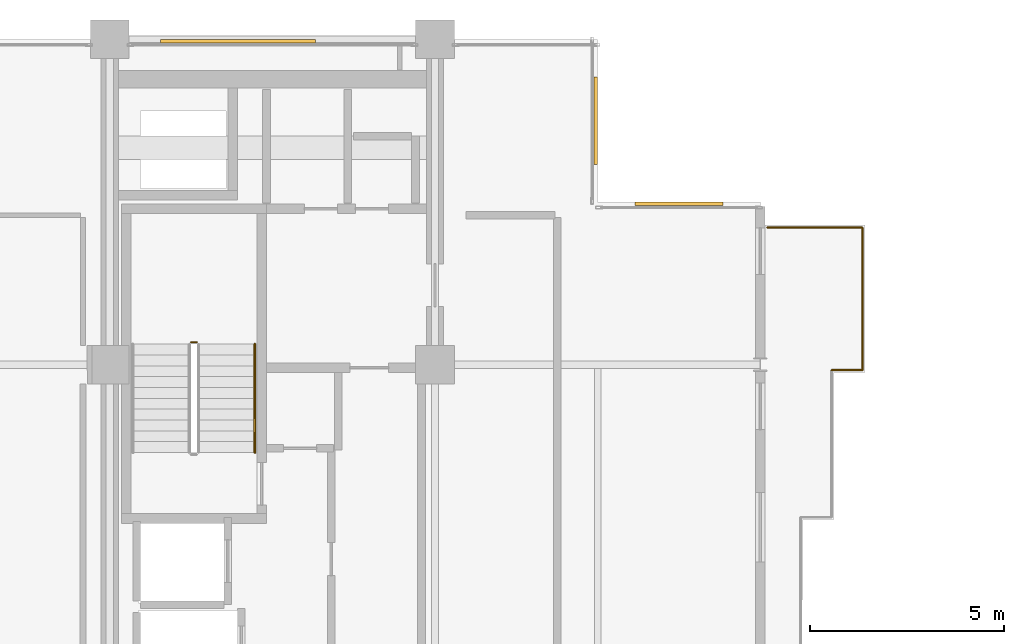
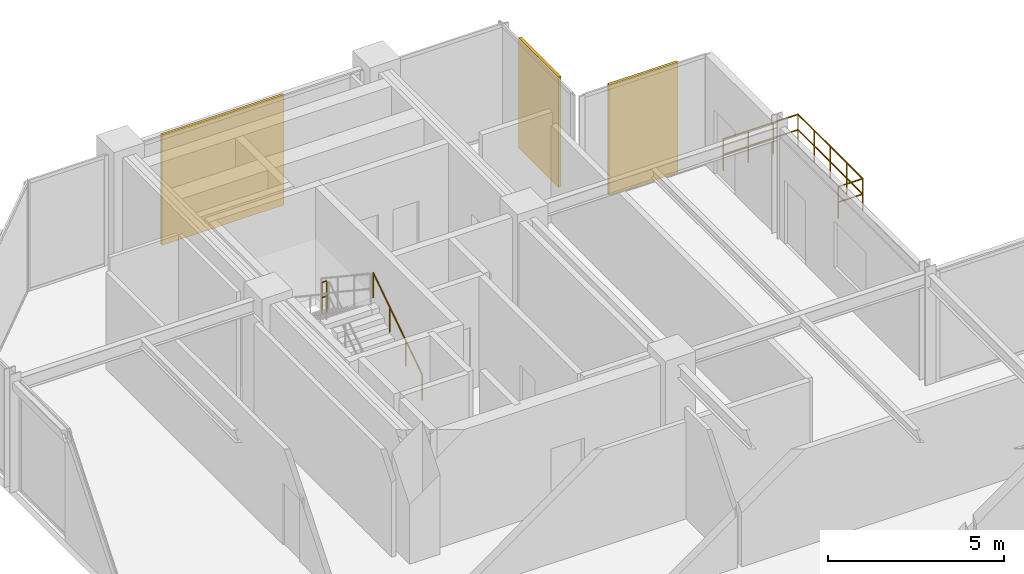
# One storey, part 25 of 25: 5 railings, 3 coverings.
"""IFC4 building model written with IfcOpenShell, lengths in metres."""

import ifcopenshell
import ifcopenshell.guid

model = None  # the IFC model being written
_history = None  # IfcOwnerHistory: only IFC2X3 demands one
_inside = {}  # id of a spatial element -> (the spatial element, [elements in it])
_under = {}  # id of a project, library or spatial element -> (it, [spatial elements below it])
_declared = {}  # id of a project -> (the project, [libraries it declares])
_typed = {}  # id of a type object -> (the type object, [elements of that type])
_made_of = {}  # id of a material, layer set ... -> (it, [elements and type objects made of it])


def new_model(schema):
    """Start an empty IFC model of exactly this schema.

    Asked for "IFC4X3", IfcOpenShell would pick the latest addendum, in which some entities
    have other attributes; the version numbers below select the first issue.
    IFC2X3 requires an IfcOwnerHistory on every rooted entity: one is made here for all.
    """
    global model, _history
    if schema == "IFC4X3":
        model = ifcopenshell.file(schema_version=(4, 3, 0, 0))
    else:
        model = ifcopenshell.file(schema=schema)
    _inside.clear()
    _under.clear()
    _declared.clear()
    _typed.clear()
    _made_of.clear()
    _history = None
    if model.schema == "IFC2X3":
        org = make("IfcOrganization", Name="unknown")
        user = make(
            "IfcPersonAndOrganization",
            ThePerson=make("IfcPerson", FamilyName="unknown"),
            TheOrganization=org,
        )
        app = make(
            "IfcApplication",
            ApplicationDeveloper=org,
            Version="unknown",
            ApplicationFullName="unknown",
            ApplicationIdentifier="unknown",
        )
        _history = make(
            "IfcOwnerHistory",
            OwningUser=user,
            OwningApplication=app,
            ChangeAction="ADDED",
            CreationDate=0,
        )
    return model


def make(cls, **values):
    """One entity of the class cls with the attributes given. An attribute that is None is left unset."""
    return model.create_entity(
        cls, **{name: value for name, value in values.items() if value is not None}
    )


def rooted(cls, **values):
    """An entity with a GlobalId (a new one), such as an element, a storey or a relation."""
    return make(cls, GlobalId=ifcopenshell.guid.new(), OwnerHistory=_history, **values)


def si_unit(unit_type, name, prefix=None):
    """IfcSIUnit, for example si_unit("LENGTHUNIT", "METRE", prefix="MILLI")."""
    return make("IfcSIUnit", UnitType=unit_type, Prefix=prefix, Name=name)


def assignment(units):
    """IfcUnitAssignment: the units of a project."""
    return None if units is None else make("IfcUnitAssignment", Units=units)


def point(xyz):
    """IfcCartesianPoint."""
    return None if xyz is None else make("IfcCartesianPoint", Coordinates=xyz)


def direction(xyz):
    """IfcDirection."""
    return None if xyz is None else make("IfcDirection", DirectionRatios=xyz)


def frame(location, z_axis=None, x_axis=None):
    """IfcAxis2Placement3D, a coordinate frame: its origin and axes. An axis left out is left unset."""
    return make(
        "IfcAxis2Placement3D",
        Location=point(location),
        Axis=direction(z_axis),
        RefDirection=direction(x_axis),
    )


def frame_2d(location, x_axis=None):
    """IfcAxis2Placement2D, a coordinate frame in the plane: its origin and x axis."""
    return make(
        "IfcAxis2Placement2D", Location=point(location), RefDirection=direction(x_axis)
    )


def origin():
    """The frame at (0, 0, 0) with its axes left unset."""
    return frame((0.0, 0.0, 0.0))


def origin_2d():
    """The frame at (0, 0) in the plane with its x axis left unset."""
    return frame_2d((0.0, 0.0))


def place(relative_to, where):
    """IfcLocalPlacement: puts the frame where relative to a parent placement (None: the world)."""
    return make(
        "IfcLocalPlacement", PlacementRelTo=relative_to, RelativePlacement=where
    )


def context(
    kind, dimensions, precision=None, world=None, true_north=None, identifier=None
):
    """IfcGeometricRepresentationContext, for example the 3D "Model" context."""
    return make(
        "IfcGeometricRepresentationContext",
        ContextIdentifier=identifier,
        ContextType=kind,
        CoordinateSpaceDimension=dimensions,
        Precision=precision,
        WorldCoordinateSystem=world,
        TrueNorth=true_north,
    )


def subcontext(parent, identifier, kind, view, scale=None):
    """IfcGeometricRepresentationSubContext, for example "Body" below "Model"."""
    return make(
        "IfcGeometricRepresentationSubContext",
        ContextIdentifier=identifier,
        ContextType=kind,
        ParentContext=parent,
        TargetScale=scale,
        TargetView=view,
    )


def project(units=None, contexts=None):
    """IfcProject with its units and contexts."""
    return rooted(
        "IfcProject",
        Name="project",
        RepresentationContexts=contexts,
        UnitsInContext=assignment(units),
    )


def spatial(cls, under=None, at=None, **own):
    """A site, building, storey or space (cls), placed at a placement, below another one or the project."""
    s = rooted(cls, ObjectPlacement=at, **own)
    if under is not None:
        _under.setdefault(under.id(), (under, []))[1].append(s)
    return s


def profile(cls, at=None, kind="AREA", **sizes):
    """A parametric profile (cls). Its sizes go by their IFC names, for example OverallWidth=200.0."""
    return make(cls, ProfileType=kind, Position=at, **sizes)


def rectangle(**sizes):
    """IfcRectangleProfileDef."""
    return profile("IfcRectangleProfileDef", **sizes)


def circle(**sizes):
    """IfcCircleProfileDef."""
    return profile("IfcCircleProfileDef", **sizes)


def extrude(swept, where, along, depth):
    """IfcExtrudedAreaSolid: the profile swept, set in the frame where, extruded along a direction by depth."""
    return make(
        "IfcExtrudedAreaSolid",
        SweptArea=swept,
        Position=where,
        ExtrudedDirection=direction(along),
        Depth=depth,
    )


def shape(context_of_items, identifier, shape_type, items):
    """IfcShapeRepresentation: the items that make up one representation, for example the "Body"."""
    return make(
        "IfcShapeRepresentation",
        ContextOfItems=context_of_items,
        RepresentationIdentifier=identifier,
        RepresentationType=shape_type,
        Items=items,
    )


def material(Name=None, Category=None):
    """IfcMaterial."""
    return make("IfcMaterial", Name=Name, Category=Category)


def layer(
    of_material, thickness, ventilated=None, Name=None, Category=None, Priority=None
):
    """IfcMaterialLayer: one layer of a wall or slab, of a material (None: an air gap)."""
    return make(
        "IfcMaterialLayer",
        Material=of_material,
        LayerThickness=thickness,
        IsVentilated=ventilated,
        Name=Name,
        Category=Category,
        Priority=Priority,
    )


def layer_set(layers, Name=None):
    """IfcMaterialLayerSet."""
    return make("IfcMaterialLayerSet", MaterialLayers=layers, LayerSetName=Name)


def made_of(thing, what):
    """Note that an element or type object is made of a material, layer set ...; save() writes the relation."""
    if what is not None:
        _made_of.setdefault(what.id(), (what, []))[1].append(thing)
    return thing


def type_object(cls, material=None, **own):
    """A type object (cls), such as IfcWallType, which elements share."""
    return made_of(rooted(cls, **own), material)


def element(
    cls,
    number,
    at=None,
    inside=None,
    cuts=None,
    type_object=None,
    material=None,
    context=None,
    identifier="Body",
    shape_type=None,
    held_by="IfcProductDefinitionShape",
    body=None,
    shapes=None,
    **own,
):
    """One element of the class cls, such as IfcWall. Its Tag is "e" and its number.

    at: its placement. inside: the storey or other place that contains it. cuts: it is an
    opening in that element (IfcRelVoidsElement). A single representation is given by context,
    identifier, shape_type and body (its items); several are given by shapes. held_by: the class
    of the entity that holds the representations. save() writes the other relations.
    """
    e = rooted(cls, Tag="e%d" % number, ObjectPlacement=at, **own)
    if body is not None:
        shapes = [shape(context, identifier, shape_type, body)]
    if shapes is not None:
        e.Representation = make(held_by, Representations=shapes)
    if inside is not None:
        _inside.setdefault(inside.id(), (inside, []))[1].append(e)
    if cuts is not None:
        rooted(
            "IfcRelVoidsElement", RelatingBuildingElement=cuts, RelatedOpeningElement=e
        )
    if type_object is not None:
        _typed.setdefault(type_object.id(), (type_object, []))[1].append(e)
    return made_of(e, material)


def aggregate(whole, parts):
    """IfcRelAggregates: a whole, such as a stair, and the parts it consists of."""
    return rooted("IfcRelAggregates", RelatingObject=whole, RelatedObjects=parts)


def save(model, path):
    """Write the relations noted so far, then the file.

    IfcRelAggregates (storeys below a building ...), IfcRelContainedInSpatialStructure (elements
    in a storey), IfcRelDefinesByType, IfcRelAssociatesMaterial and IfcRelDeclares: one each for
    every whole, place, type object, material and project.
    """
    for whole, parts in _under.values():
        aggregate(whole, parts)
    for where, things in _inside.values():
        rooted(
            "IfcRelContainedInSpatialStructure",
            RelatedElements=things,
            RelatingStructure=where,
        )
    for kind, things in _typed.values():
        rooted("IfcRelDefinesByType", RelatedObjects=things, RelatingType=kind)
    for what, things in _made_of.values():
        rooted("IfcRelAssociatesMaterial", RelatedObjects=things, RelatingMaterial=what)
    for by, libraries in _declared.values():
        rooted("IfcRelDeclares", RelatingContext=by, RelatedDefinitions=libraries)
    model.write(path)


model = new_model("IFC4")

# Units and contexts
model_context = context("Model", 3, precision=1e-05, world=origin(), true_north=direction((0.0, 1.0)))
body_context = subcontext(model_context, "Body", "Model", "MODEL_VIEW")
ifc_project = project(units=[si_unit("LENGTHUNIT", "METRE"), si_unit("AREAUNIT", "SQUARE_METRE"), si_unit("VOLUMEUNIT", "CUBIC_METRE"), si_unit("PLANEANGLEUNIT", "RADIAN"), si_unit("MASSUNIT", "GRAM", prefix="KILO")], contexts=[model_context])

# Site, building, storey
site_placement = place(None, origin())
site = spatial("IfcSite", under=ifc_project, at=site_placement, CompositionType="ELEMENT")
building_placement = place(site_placement, origin())
building = spatial("IfcBuilding", under=site, at=building_placement, Name="Nerrivon Quay Data Exchange", CompositionType="ELEMENT")
storey_placement = place(building_placement, frame((0.0, 0.0, 232.89990234375)))
storey = spatial("IfcBuildingStorey", under=building, at=storey_placement, Name="L55", CompositionType="ELEMENT", Elevation=232.89990234375)

# Coverings
ifc_material_1 = material(Name="Architectural terracotta ceramic", Category="masonry")
ifc_layer = layer(ifc_material_1, 0.090087890625)
ifc_layer_set = layer_set([ifc_layer], Name="Architectural terracotta ceramic")
covering_type = type_object("IfcCoveringType", Name="COV-SCR-TERR", PredefinedType="CLADDING", material=ifc_layer_set)
covering_placement = place(storey_placement, frame((11.7119140625, 41.955078125, 0.0), z_axis=(0.0, 0.0, 1.0), x_axis=(1.0, 0.0, 0.0)))
element("IfcCovering", 1, at=covering_placement, inside=storey, type_object=covering_type, Name="L55 Perforated Terracotta SOLAR SCREEN Cassette", PredefinedType="CLADDING", context=body_context, shape_type="SweptSolid", body=[
    extrude(rectangle(XDim=3.99609375, YDim=0.090087890625, at=origin_2d()), origin(), (0.0, 0.0, 1.0), 3.824951171875),
])
for number, where, z_axis, x_axis, name in (
    (2, (20.955078125, 39.89990234375, 0.0), (0.0, 0.0, 1.0), (0.0, -1.0, 0.0), "L55 Perforated Terracotta SOLAR SCREEN Cassette"),
    (3, (23.10009765625, 37.7548828125, 0.0), (0.0, 0.0, 1.0), (1.0, 0.0, 0.0), "L55 Perforated Terracotta SOLAR SCREEN Cassette"),
):
    element("IfcCovering", number, at=place(storey_placement, frame(where, z_axis=z_axis, x_axis=x_axis)), inside=storey, type_object=covering_type, Name=name, PredefinedType="CLADDING", context=body_context, shape_type="SweptSolid", body=[
        extrude(rectangle(XDim=2.26806640625, YDim=0.090087890625, at=origin_2d()), origin(), (0.0, 0.0, 1.0), 3.824951171875),
    ])

# Railings
ifc_material_2 = material(Name="Steel Grade C350L0 (350 MPa)", Category="steel")
railing_type_1 = type_object("IfcRailingType", Name="RAIL-GUARD-GR2", PredefinedType="BALUSTRADE", material=ifc_material_2)
railing_1_placement = place(storey_placement, frame((25.3798828125, 37.139892578125, 0.0)))
element("IfcRailing", 4, at=railing_1_placement, inside=storey, type_object=railing_type_1, Name="L55 Verandah Balcony Guard 1.3 1", PredefinedType="BALUSTRADE", context=body_context, shape_type="SweptSolid", body=[
    extrude(circle(Radius=0.02392578125, at=origin_2d()), frame((0.0, 0.0, 1.09619140625), z_axis=(1.0, 0.0, 0.0), x_axis=(0.0, 1.0, 0.0)), (0.0, 0.0, 1.0), 2.460205078125),
    extrude(circle(Radius=0.02392578125, at=origin_2d()), frame((0.0, 0.0, 0.56005859375), z_axis=(1.0, 0.0, 0.0), x_axis=(0.0, 1.0, 0.0)), (0.0, 0.0, 1.0), 2.460205078125),
    extrude(circle(Radius=0.02099609375, at=origin_2d()), origin(), (0.0, 0.0, 1.0), 1.072021484375),
    extrude(circle(Radius=0.02099609375, at=origin_2d()), frame((0.820068359375, 0.0, 0.0)), (0.0, 0.0, 1.0), 1.072021484375),
    extrude(circle(Radius=0.02099609375, at=origin_2d()), frame((1.64013671875, 0.0, 0.0)), (0.0, 0.0, 1.0), 1.072021484375),
    extrude(circle(Radius=0.02099609375, at=origin_2d()), frame((2.460205078125, 0.0, 0.0)), (0.0, 0.0, 1.0), 1.072021484375),
])
railing_2_placement = place(storey_placement, frame((27.840087890625, 37.139892578125, 0.0)))
element("IfcRailing", 5, at=railing_2_placement, inside=storey, type_object=railing_type_1, Name="L55 Verandah Balcony Guard 1.4 1", PredefinedType="BALUSTRADE", context=body_context, shape_type="SweptSolid", body=[
    extrude(circle(Radius=0.02392578125, at=origin_2d()), frame((0.0, 0.0, 1.09619140625), z_axis=(0.0, -1.0, 0.0), x_axis=(1.0, 0.0, 0.0)), (0.0, 0.0, 1.0), 3.679931640625),
    extrude(circle(Radius=0.02392578125, at=origin_2d()), frame((0.0, 0.0, 0.56005859375), z_axis=(0.0, -1.0, 0.0), x_axis=(1.0, 0.0, 0.0)), (0.0, 0.0, 1.0), 3.679931640625),
    extrude(circle(Radius=0.02099609375, at=origin_2d()), origin(), (0.0, 0.0, 1.0), 1.072021484375),
    extrude(circle(Radius=0.02099609375, at=origin_2d()), frame((0.0, -0.919921875, 0.0)), (0.0, 0.0, 1.0), 1.072021484375),
    extrude(circle(Radius=0.02099609375, at=origin_2d()), frame((0.0, -1.83984375, 0.0)), (0.0, 0.0, 1.0), 1.072021484375),
    extrude(circle(Radius=0.02099609375, at=origin_2d()), frame((0.0, -2.760009765625, 0.0)), (0.0, 0.0, 1.0), 1.072021484375),
    extrude(circle(Radius=0.02099609375, at=origin_2d()), frame((0.0, -3.679931640625, 0.0)), (0.0, 0.0, 1.0), 1.072021484375),
])
railing_3_placement = place(storey_placement, frame((27.840087890625, 33.4599609375, 0.0)))
element("IfcRailing", 6, at=railing_3_placement, inside=storey, type_object=railing_type_1, Name="L55 Verandah Balcony Guard 1.5 1", PredefinedType="BALUSTRADE", context=body_context, shape_type="SweptSolid", body=[
    extrude(circle(Radius=0.02392578125, at=origin_2d()), frame((0.0, 0.0, 1.09619140625), z_axis=(-1.0, 0.0, 0.0), x_axis=(0.0, -1.0, 0.0)), (0.0, 0.0, 1.0), 0.800048828125),
    extrude(circle(Radius=0.02392578125, at=origin_2d()), frame((0.0, 0.0, 0.56005859375), z_axis=(-1.0, 0.0, 0.0), x_axis=(0.0, -1.0, 0.0)), (0.0, 0.0, 1.0), 0.800048828125),
    extrude(circle(Radius=0.02099609375, at=origin_2d()), origin(), (0.0, 0.0, 1.0), 1.072021484375),
    extrude(circle(Radius=0.02099609375, at=origin_2d()), frame((-0.800048828125, 0.0, 0.0)), (0.0, 0.0, 1.0), 1.072021484375),
])
railing_type_2 = type_object("IfcRailingType", Name="RAIL-HAND-HR1", PredefinedType="HANDRAIL", material=ifc_material_2)
railing_4_placement = place(storey_placement, frame((12.14990234375, 31.330078125, 0.1865234375)))
element("IfcRailing", 7, at=railing_4_placement, inside=storey, type_object=railing_type_2, Name="L55 ST01 stair handrail 1", PredefinedType="HANDRAIL", context=body_context, shape_type="SweptSolid", body=[
    extrude(circle(Radius=0.02392578125, at=origin_2d()), frame((0.0, 0.0, 0.8759765625), z_axis=(0.0, 0.832463268671, 0.554080234545), x_axis=(-1.0, 0.0, 0.0)), (0.0, 0.0, 1.0), 3.36328125),
    extrude(circle(Radius=0.02099609375, at=origin_2d()), origin(), (0.0, 0.0, 1.0), 0.851806640625),
    extrude(circle(Radius=0.02099609375, at=origin_2d()), frame((0.0, 0.933349609375, 0.62109375)), (0.0, 0.0, 1.0), 0.851806640625),
    extrude(circle(Radius=0.02099609375, at=origin_2d()), frame((0.0, 1.866455078125, 1.242431640625)), (0.0, 0.0, 1.0), 0.851806640625),
    extrude(circle(Radius=0.02099609375, at=origin_2d()), frame((0.0, 2.7998046875, 1.863525390625)), (0.0, 0.0, 1.0), 0.851806640625),
])
railing_type_3 = type_object("IfcRailingType", Name="RAIL-STAIR-GR1", PredefinedType="BALUSTRADE", material=ifc_material_2)
railing_5_placement = place(storey_placement, frame((10.64990234375, 34.179931640625, 2.050048828125)))
element("IfcRailing", 8, at=railing_5_placement, inside=storey, type_object=railing_type_3, Name="L55 ST01 stair guard 2", PredefinedType="BALUSTRADE", context=body_context, shape_type="SweptSolid", body=[
    extrude(circle(Radius=0.02392578125, at=origin_2d()), frame((0.0, 0.0, 1.076171875), z_axis=(-1.0, 0.0, 0.0), x_axis=(0.0, -1.0, 0.0)), (0.0, 0.0, 1.0), 0.14990234375),
    extrude(circle(Radius=0.02392578125, at=origin_2d()), frame((0.0, 0.0, 0.550048828125), z_axis=(-1.0, 0.0, 0.0), x_axis=(0.0, -1.0, 0.0)), (0.0, 0.0, 1.0), 0.14990234375),
    extrude(circle(Radius=0.02099609375, at=origin_2d()), origin(), (0.0, 0.0, 1.0), 1.052001953125),
    extrude(circle(Radius=0.02099609375, at=origin_2d()), frame((-0.14990234375, 0.0, 0.0)), (0.0, 0.0, 1.0), 1.052001953125),
])

save(model, "model.ifc")
